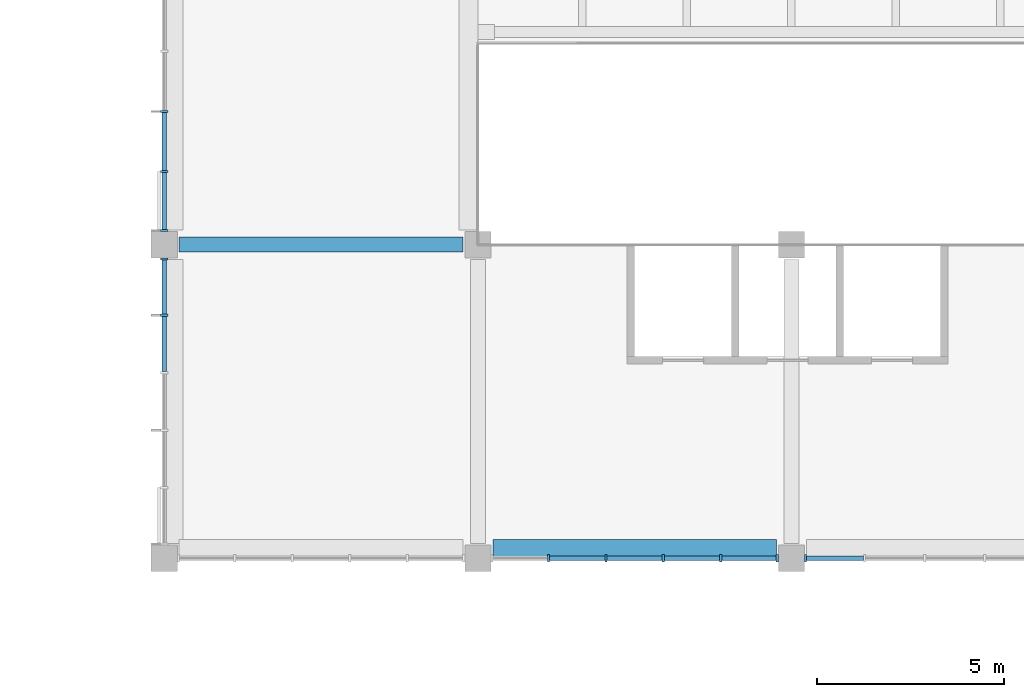
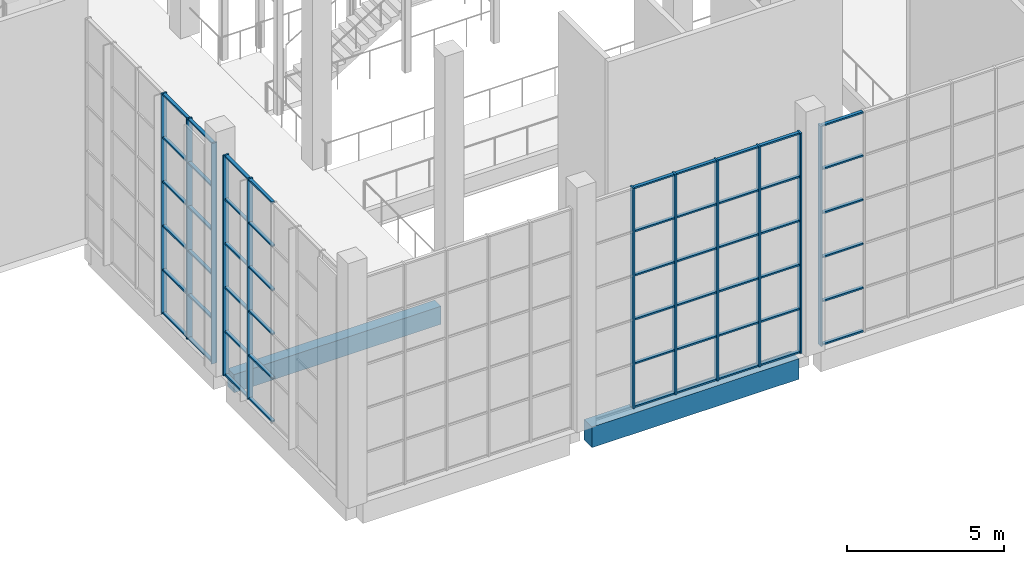
# One storey, part 20 of 114: 65 members, 2 beams, 4 elements without a shape of their own.
"""IFC4 building model written with IfcOpenShell, lengths in metres."""

import ifcopenshell
import ifcopenshell.guid

model = None  # the IFC model being written
_history = None  # IfcOwnerHistory: only IFC2X3 demands one
_inside = {}  # id of a spatial element -> (the spatial element, [elements in it])
_under = {}  # id of a project, library or spatial element -> (it, [spatial elements below it])
_declared = {}  # id of a project -> (the project, [libraries it declares])
_typed = {}  # id of a type object -> (the type object, [elements of that type])
_made_of = {}  # id of a material, layer set ... -> (it, [elements and type objects made of it])


def new_model(schema):
    """Start an empty IFC model of exactly this schema.

    Asked for "IFC4X3", IfcOpenShell would pick the latest addendum, in which some entities
    have other attributes; the version numbers below select the first issue.
    IFC2X3 requires an IfcOwnerHistory on every rooted entity: one is made here for all.
    """
    global model, _history
    if schema == "IFC4X3":
        model = ifcopenshell.file(schema_version=(4, 3, 0, 0))
    else:
        model = ifcopenshell.file(schema=schema)
    _inside.clear()
    _under.clear()
    _declared.clear()
    _typed.clear()
    _made_of.clear()
    _history = None
    if model.schema == "IFC2X3":
        org = make("IfcOrganization", Name="unknown")
        user = make(
            "IfcPersonAndOrganization",
            ThePerson=make("IfcPerson", FamilyName="unknown"),
            TheOrganization=org,
        )
        app = make(
            "IfcApplication",
            ApplicationDeveloper=org,
            Version="unknown",
            ApplicationFullName="unknown",
            ApplicationIdentifier="unknown",
        )
        _history = make(
            "IfcOwnerHistory",
            OwningUser=user,
            OwningApplication=app,
            ChangeAction="ADDED",
            CreationDate=0,
        )
    return model


def make(cls, **values):
    """One entity of the class cls with the attributes given. An attribute that is None is left unset."""
    return model.create_entity(
        cls, **{name: value for name, value in values.items() if value is not None}
    )


def rooted(cls, **values):
    """An entity with a GlobalId (a new one), such as an element, a storey or a relation."""
    return make(cls, GlobalId=ifcopenshell.guid.new(), OwnerHistory=_history, **values)


def si_unit(unit_type, name, prefix=None):
    """IfcSIUnit, for example si_unit("LENGTHUNIT", "METRE", prefix="MILLI")."""
    return make("IfcSIUnit", UnitType=unit_type, Prefix=prefix, Name=name)


def assignment(units):
    """IfcUnitAssignment: the units of a project."""
    return None if units is None else make("IfcUnitAssignment", Units=units)


def point(xyz):
    """IfcCartesianPoint."""
    return None if xyz is None else make("IfcCartesianPoint", Coordinates=xyz)


def direction(xyz):
    """IfcDirection."""
    return None if xyz is None else make("IfcDirection", DirectionRatios=xyz)


def frame(location, z_axis=None, x_axis=None):
    """IfcAxis2Placement3D, a coordinate frame: its origin and axes. An axis left out is left unset."""
    return make(
        "IfcAxis2Placement3D",
        Location=point(location),
        Axis=direction(z_axis),
        RefDirection=direction(x_axis),
    )


def frame_2d(location, x_axis=None):
    """IfcAxis2Placement2D, a coordinate frame in the plane: its origin and x axis."""
    return make(
        "IfcAxis2Placement2D", Location=point(location), RefDirection=direction(x_axis)
    )


def origin():
    """The frame at (0, 0, 0) with its axes left unset."""
    return frame((0.0, 0.0, 0.0))


def origin_2d():
    """The frame at (0, 0) in the plane with its x axis left unset."""
    return frame_2d((0.0, 0.0))


def place(relative_to, where):
    """IfcLocalPlacement: puts the frame where relative to a parent placement (None: the world)."""
    return make(
        "IfcLocalPlacement", PlacementRelTo=relative_to, RelativePlacement=where
    )


def context(
    kind, dimensions, precision=None, world=None, true_north=None, identifier=None
):
    """IfcGeometricRepresentationContext, for example the 3D "Model" context."""
    return make(
        "IfcGeometricRepresentationContext",
        ContextIdentifier=identifier,
        ContextType=kind,
        CoordinateSpaceDimension=dimensions,
        Precision=precision,
        WorldCoordinateSystem=world,
        TrueNorth=true_north,
    )


def subcontext(parent, identifier, kind, view, scale=None):
    """IfcGeometricRepresentationSubContext, for example "Body" below "Model"."""
    return make(
        "IfcGeometricRepresentationSubContext",
        ContextIdentifier=identifier,
        ContextType=kind,
        ParentContext=parent,
        TargetScale=scale,
        TargetView=view,
    )


def project(units=None, contexts=None):
    """IfcProject with its units and contexts."""
    return rooted(
        "IfcProject",
        Name="project",
        RepresentationContexts=contexts,
        UnitsInContext=assignment(units),
    )


def spatial(cls, under=None, at=None, **own):
    """A site, building, storey or space (cls), placed at a placement, below another one or the project."""
    s = rooted(cls, ObjectPlacement=at, **own)
    if under is not None:
        _under.setdefault(under.id(), (under, []))[1].append(s)
    return s


def profile(cls, at=None, kind="AREA", **sizes):
    """A parametric profile (cls). Its sizes go by their IFC names, for example OverallWidth=200.0."""
    return make(cls, ProfileType=kind, Position=at, **sizes)


def rectangle(**sizes):
    """IfcRectangleProfileDef."""
    return profile("IfcRectangleProfileDef", **sizes)


def extrude(swept, where, along, depth):
    """IfcExtrudedAreaSolid: the profile swept, set in the frame where, extruded along a direction by depth."""
    return make(
        "IfcExtrudedAreaSolid",
        SweptArea=swept,
        Position=where,
        ExtrudedDirection=direction(along),
        Depth=depth,
    )


def shape(context_of_items, identifier, shape_type, items):
    """IfcShapeRepresentation: the items that make up one representation, for example the "Body"."""
    return make(
        "IfcShapeRepresentation",
        ContextOfItems=context_of_items,
        RepresentationIdentifier=identifier,
        RepresentationType=shape_type,
        Items=items,
    )


def material(Name=None, Category=None):
    """IfcMaterial."""
    return make("IfcMaterial", Name=Name, Category=Category)


def material_profile(
    of_material, cross_section, Name=None, Category=None, Priority=None
):
    """IfcMaterialProfile: a cross section and its material."""
    return make(
        "IfcMaterialProfile",
        Name=Name,
        Material=of_material,
        Profile=cross_section,
        Priority=Priority,
        Category=Category,
    )


def profile_set(profiles, Name=None, composite=None):
    """IfcMaterialProfileSet."""
    return make(
        "IfcMaterialProfileSet",
        Name=Name,
        MaterialProfiles=profiles,
        CompositeProfile=composite,
    )


def made_of(thing, what):
    """Note that an element or type object is made of a material, layer set ...; save() writes the relation."""
    if what is not None:
        _made_of.setdefault(what.id(), (what, []))[1].append(thing)
    return thing


def type_object(cls, material=None, **own):
    """A type object (cls), such as IfcWallType, which elements share."""
    return made_of(rooted(cls, **own), material)


def element(
    cls,
    number,
    at=None,
    inside=None,
    cuts=None,
    type_object=None,
    material=None,
    context=None,
    identifier="Body",
    shape_type=None,
    held_by="IfcProductDefinitionShape",
    body=None,
    shapes=None,
    **own,
):
    """One element of the class cls, such as IfcWall. Its Tag is "e" and its number.

    at: its placement. inside: the storey or other place that contains it. cuts: it is an
    opening in that element (IfcRelVoidsElement). A single representation is given by context,
    identifier, shape_type and body (its items); several are given by shapes. held_by: the class
    of the entity that holds the representations. save() writes the other relations.
    """
    e = rooted(cls, Tag="e%d" % number, ObjectPlacement=at, **own)
    if body is not None:
        shapes = [shape(context, identifier, shape_type, body)]
    if shapes is not None:
        e.Representation = make(held_by, Representations=shapes)
    if inside is not None:
        _inside.setdefault(inside.id(), (inside, []))[1].append(e)
    if cuts is not None:
        rooted(
            "IfcRelVoidsElement", RelatingBuildingElement=cuts, RelatedOpeningElement=e
        )
    if type_object is not None:
        _typed.setdefault(type_object.id(), (type_object, []))[1].append(e)
    return made_of(e, material)


def aggregate(whole, parts):
    """IfcRelAggregates: a whole, such as a stair, and the parts it consists of."""
    return rooted("IfcRelAggregates", RelatingObject=whole, RelatedObjects=parts)


def save(model, path):
    """Write the relations noted so far, then the file.

    IfcRelAggregates (storeys below a building ...), IfcRelContainedInSpatialStructure (elements
    in a storey), IfcRelDefinesByType, IfcRelAssociatesMaterial and IfcRelDeclares: one each for
    every whole, place, type object, material and project.
    """
    for whole, parts in _under.values():
        aggregate(whole, parts)
    for where, things in _inside.values():
        rooted(
            "IfcRelContainedInSpatialStructure",
            RelatedElements=things,
            RelatingStructure=where,
        )
    for kind, things in _typed.values():
        rooted("IfcRelDefinesByType", RelatedObjects=things, RelatingType=kind)
    for what, things in _made_of.values():
        rooted("IfcRelAssociatesMaterial", RelatedObjects=things, RelatingMaterial=what)
    for by, libraries in _declared.values():
        rooted("IfcRelDeclares", RelatingContext=by, RelatedDefinitions=libraries)
    model.write(path)


model = new_model("IFC4")

# Units and contexts
model_context = context("Model", 3, precision=1e-05, world=origin(), true_north=direction((0.0, 1.0)))
body_context = subcontext(model_context, "Body", "Model", "MODEL_VIEW")
ifc_project = project(units=[si_unit("LENGTHUNIT", "METRE"), si_unit("AREAUNIT", "SQUARE_METRE"), si_unit("VOLUMEUNIT", "CUBIC_METRE"), si_unit("PLANEANGLEUNIT", "RADIAN"), si_unit("MASSUNIT", "GRAM", prefix="KILO")], contexts=[model_context])

# Site, building, storey
site_placement = place(None, origin())
site = spatial("IfcSite", under=ifc_project, at=site_placement, CompositionType="ELEMENT")
building_placement = place(site_placement, origin())
building = spatial("IfcBuilding", under=site, at=building_placement, Name="Almond Square Museum", CompositionType="ELEMENT")
storey_placement = place(building_placement, frame((0.0, 0.0, 10.5)))
storey = spatial("IfcBuildingStorey", under=building, at=storey_placement, Name="L02", CompositionType="ELEMENT", Elevation=10.5)

# Curtain wall, members
ifc_material_1 = material(Name="Aluminium and laminated glass", Category="aluminium")
curtain_wall_type = type_object("IfcCurtainWallType", Name="Unitised curtain wall 1500 module", PredefinedType="NOTDEFINED", material=ifc_material_1)
curtain_wall_1_placement = place(storey_placement, origin())
curtain_wall_1 = element("IfcCurtainWall", 1, at=curtain_wall_1_placement, inside=storey, type_object=curtain_wall_type, Name="Curtain wall CW-26", PredefinedType="NOTDEFINED")
ifc_material_2 = material(Name="Anodised aluminium", Category="aluminium")
ifc_material_profile_1 = material_profile(ifc_material_2, rectangle(XDim=0.199951171875, YDim=0.06005859375, at=origin_2d()))
ifc_profile_set_1 = profile_set([ifc_material_profile_1], Name="Anodised aluminium")
member_type_1 = type_object("IfcMemberType", Name="Aluminium mullion 60 x 200", PredefinedType="MULLION", material=ifc_profile_set_1)
member_1_placement = place(storey_placement, frame((73.199951171875, 75.97998046875, 0.0), z_axis=(0.0, 0.0, 1.0), x_axis=(-1.0, 0.0, 0.0)))
member_1 = element("IfcMember", 2, at=member_1_placement, type_object=member_type_1, Name="CW-26 mullion 1", PredefinedType="MULLION", context=body_context, shape_type="SweptSolid", body=[
    extrude(rectangle(XDim=0.199951171875, YDim=0.06005859375, at=origin_2d()), origin(), (0.0, 0.0, 1.0), 8.550048828125),
])
member_2_placement = place(storey_placement, frame((73.199951171875, 77.56005859375, 0.0), z_axis=(0.0, 0.0, 1.0), x_axis=(-1.0, 0.0, 0.0)))
member_2 = element("IfcMember", 3, at=member_2_placement, type_object=member_type_1, Name="CW-26 mullion 2", PredefinedType="MULLION", context=body_context, shape_type="SweptSolid", body=[
    extrude(rectangle(XDim=0.199951171875, YDim=0.06005859375, at=origin_2d()), origin(), (0.0, 0.0, 1.0), 8.550048828125),
])
member_3_placement = place(storey_placement, frame((73.199951171875, 79.169921875, 0.0), z_axis=(0.0, 0.0, 1.0), x_axis=(-1.0, 0.0, 0.0)))
member_3 = element("IfcMember", 4, at=member_3_placement, type_object=member_type_1, Name="CW-26 mullion 3", PredefinedType="MULLION", context=body_context, shape_type="SweptSolid", body=[
    extrude(rectangle(XDim=0.199951171875, YDim=0.06005859375, at=origin_2d()), origin(), (0.0, 0.0, 1.0), 8.550048828125),
])

curtain_wall_2_placement = place(storey_placement, origin())
curtain_wall_2 = element("IfcCurtainWall", 5, at=curtain_wall_2_placement, inside=storey, type_object=curtain_wall_type, Name="Curtain wall CW-27", PredefinedType="NOTDEFINED")
member_4_placement = place(storey_placement, frame((73.199951171875, 73.7099609375, 0.0), z_axis=(0.0, 0.0, 1.0), x_axis=(-1.0, 0.0, 0.0)))
member_4 = element("IfcMember", 6, at=member_4_placement, type_object=member_type_1, Name="CW-27 mullion 5", PredefinedType="MULLION", context=body_context, shape_type="SweptSolid", body=[
    extrude(rectangle(XDim=0.199951171875, YDim=0.06005859375, at=origin_2d()), origin(), (0.0, 0.0, 1.0), 8.550048828125),
])
member_5_placement = place(storey_placement, frame((73.199951171875, 75.219970703125, 0.0), z_axis=(0.0, 0.0, 1.0), x_axis=(-1.0, 0.0, 0.0)))
member_5 = element("IfcMember", 7, at=member_5_placement, type_object=member_type_1, Name="CW-27 mullion 6", PredefinedType="MULLION", context=body_context, shape_type="SweptSolid", body=[
    extrude(rectangle(XDim=0.199951171875, YDim=0.06005859375, at=origin_2d()), origin(), (0.0, 0.0, 1.0), 8.550048828125),
])

curtain_wall_3_placement = place(storey_placement, origin())
curtain_wall_3 = element("IfcCurtainWall", 8, at=curtain_wall_3_placement, inside=storey, type_object=curtain_wall_type, Name="Curtain wall CW-29", PredefinedType="NOTDEFINED")
member_6_placement = place(storey_placement, frame((83.489990234375, 67.199951171875, 0.0), z_axis=(0.0, 0.0, 1.0), x_axis=(0.0, 1.0, 0.0)))
member_6 = element("IfcMember", 9, at=member_6_placement, type_object=member_type_1, Name="CW-29 mullion 2", PredefinedType="MULLION", context=body_context, shape_type="SweptSolid", body=[
    extrude(rectangle(XDim=0.199951171875, YDim=0.06005859375, at=origin_2d()), origin(), (0.0, 0.0, 1.0), 8.550048828125),
])
member_7_placement = place(storey_placement, frame((85.030029296875, 67.199951171875, 0.0), z_axis=(0.0, 0.0, 1.0), x_axis=(0.0, 1.0, 0.0)))
member_7 = element("IfcMember", 10, at=member_7_placement, type_object=member_type_1, Name="CW-29 mullion 3", PredefinedType="MULLION", context=body_context, shape_type="SweptSolid", body=[
    extrude(rectangle(XDim=0.199951171875, YDim=0.06005859375, at=origin_2d()), origin(), (0.0, 0.0, 1.0), 8.550048828125),
])
member_8_placement = place(storey_placement, frame((86.570068359375, 67.199951171875, 0.0), z_axis=(0.0, 0.0, 1.0), x_axis=(0.0, 1.0, 0.0)))
member_8 = element("IfcMember", 11, at=member_8_placement, type_object=member_type_1, Name="CW-29 mullion 4", PredefinedType="MULLION", context=body_context, shape_type="SweptSolid", body=[
    extrude(rectangle(XDim=0.199951171875, YDim=0.06005859375, at=origin_2d()), origin(), (0.0, 0.0, 1.0), 8.550048828125),
])
member_9_placement = place(storey_placement, frame((88.110107421875, 67.199951171875, 0.0), z_axis=(0.0, 0.0, 1.0), x_axis=(0.0, 1.0, 0.0)))
member_9 = element("IfcMember", 12, at=member_9_placement, type_object=member_type_1, Name="CW-29 mullion 5", PredefinedType="MULLION", context=body_context, shape_type="SweptSolid", body=[
    extrude(rectangle(XDim=0.199951171875, YDim=0.06005859375, at=origin_2d()), origin(), (0.0, 0.0, 1.0), 8.550048828125),
])
member_10_placement = place(storey_placement, frame((89.6201171875, 67.199951171875, 0.0), z_axis=(0.0, 0.0, 1.0), x_axis=(0.0, 1.0, 0.0)))
member_10 = element("IfcMember", 13, at=member_10_placement, type_object=member_type_1, Name="CW-29 mullion 6", PredefinedType="MULLION", context=body_context, shape_type="SweptSolid", body=[
    extrude(rectangle(XDim=0.199951171875, YDim=0.06005859375, at=origin_2d()), origin(), (0.0, 0.0, 1.0), 8.550048828125),
])

# Curtain wall, member
curtain_wall_4_placement = place(storey_placement, origin())
curtain_wall_4 = element("IfcCurtainWall", 14, at=curtain_wall_4_placement, inside=storey, type_object=curtain_wall_type, Name="Curtain wall CW-30", PredefinedType="NOTDEFINED")
member_11_placement = place(storey_placement, frame((90.3798828125, 67.199951171875, 0.0), z_axis=(0.0, 0.0, 1.0), x_axis=(0.0, 1.0, 0.0)))
member_11 = element("IfcMember", 15, at=member_11_placement, type_object=member_type_1, Name="CW-30 mullion 1", PredefinedType="MULLION", context=body_context, shape_type="SweptSolid", body=[
    extrude(rectangle(XDim=0.199951171875, YDim=0.06005859375, at=origin_2d()), origin(), (0.0, 0.0, 1.0), 8.550048828125),
])

# Member
ifc_material_3 = material(Name="Anodised aluminium", Category="aluminium")
ifc_material_profile_2 = material_profile(ifc_material_3, rectangle(XDim=0.1201171875, YDim=0.06005859375, at=origin_2d()))
ifc_profile_set_2 = profile_set([ifc_material_profile_2], Name="Anodised aluminium")
member_type_2 = type_object("IfcMemberType", Name="Aluminium transom 60 x 120", PredefinedType="USERDEFINED", material=ifc_profile_set_2)
member_12_placement = place(storey_placement, frame((73.199951171875, 76.010009765625, 0.030029296875), z_axis=(0.0, 1.0, 0.0), x_axis=(-1.0, 0.0, 0.0)))
member_12 = element("IfcMember", 16, at=member_12_placement, type_object=member_type_2, Name="CW-26 transom 1.1", ObjectType="TRANSOM", PredefinedType="USERDEFINED", context=body_context, shape_type="SweptSolid", body=[
    extrude(rectangle(XDim=0.1201171875, YDim=0.06005859375, at=origin_2d()), origin(), (0.0, 0.0, 1.0), 1.52001953125),
])

member_13_placement = place(storey_placement, frame((73.199951171875, 76.010009765625, 1.7099609375), z_axis=(0.0, 1.0, 0.0), x_axis=(-1.0, 0.0, 0.0)))
member_13 = element("IfcMember", 17, at=member_13_placement, type_object=member_type_2, Name="CW-26 transom 1.2", ObjectType="TRANSOM", PredefinedType="USERDEFINED", context=body_context, shape_type="SweptSolid", body=[
    extrude(rectangle(XDim=0.1201171875, YDim=0.06005859375, at=origin_2d()), origin(), (0.0, 0.0, 1.0), 1.52001953125),
])

member_14_placement = place(storey_placement, frame((73.199951171875, 76.010009765625, 3.419921875), z_axis=(0.0, 1.0, 0.0), x_axis=(-1.0, 0.0, 0.0)))
member_14 = element("IfcMember", 18, at=member_14_placement, type_object=member_type_2, Name="CW-26 transom 1.3", ObjectType="TRANSOM", PredefinedType="USERDEFINED", context=body_context, shape_type="SweptSolid", body=[
    extrude(rectangle(XDim=0.1201171875, YDim=0.06005859375, at=origin_2d()), origin(), (0.0, 0.0, 1.0), 1.52001953125),
])

member_15_placement = place(storey_placement, frame((73.199951171875, 76.010009765625, 5.1298828125), z_axis=(0.0, 1.0, 0.0), x_axis=(-1.0, 0.0, 0.0)))
member_15 = element("IfcMember", 19, at=member_15_placement, type_object=member_type_2, Name="CW-26 transom 1.4", ObjectType="TRANSOM", PredefinedType="USERDEFINED", context=body_context, shape_type="SweptSolid", body=[
    extrude(rectangle(XDim=0.1201171875, YDim=0.06005859375, at=origin_2d()), origin(), (0.0, 0.0, 1.0), 1.52001953125),
])

member_16_placement = place(storey_placement, frame((73.199951171875, 76.010009765625, 6.840087890625), z_axis=(0.0, 1.0, 0.0), x_axis=(-1.0, 0.0, 0.0)))
member_16 = element("IfcMember", 20, at=member_16_placement, type_object=member_type_2, Name="CW-26 transom 1.5", ObjectType="TRANSOM", PredefinedType="USERDEFINED", context=body_context, shape_type="SweptSolid", body=[
    extrude(rectangle(XDim=0.1201171875, YDim=0.06005859375, at=origin_2d()), origin(), (0.0, 0.0, 1.0), 1.52001953125),
])

member_17_placement = place(storey_placement, frame((73.199951171875, 76.010009765625, 8.52001953125), z_axis=(0.0, 1.0, 0.0), x_axis=(-1.0, 0.0, 0.0)))
member_17 = element("IfcMember", 21, at=member_17_placement, type_object=member_type_2, Name="CW-26 transom 1.6", ObjectType="TRANSOM", PredefinedType="USERDEFINED", context=body_context, shape_type="SweptSolid", body=[
    extrude(rectangle(XDim=0.1201171875, YDim=0.06005859375, at=origin_2d()), origin(), (0.0, 0.0, 1.0), 1.52001953125),
])

member_18_placement = place(storey_placement, frame((73.199951171875, 77.590087890625, 0.030029296875), z_axis=(0.0, 1.0, 0.0), x_axis=(-1.0, 0.0, 0.0)))
member_18 = element("IfcMember", 22, at=member_18_placement, type_object=member_type_2, Name="CW-26 transom 2.1", ObjectType="TRANSOM", PredefinedType="USERDEFINED", context=body_context, shape_type="SweptSolid", body=[
    extrude(rectangle(XDim=0.1201171875, YDim=0.06005859375, at=origin_2d()), origin(), (0.0, 0.0, 1.0), 1.5498046875),
])

member_19_placement = place(storey_placement, frame((73.199951171875, 77.590087890625, 1.7099609375), z_axis=(0.0, 1.0, 0.0), x_axis=(-1.0, 0.0, 0.0)))
member_19 = element("IfcMember", 23, at=member_19_placement, type_object=member_type_2, Name="CW-26 transom 2.2", ObjectType="TRANSOM", PredefinedType="USERDEFINED", context=body_context, shape_type="SweptSolid", body=[
    extrude(rectangle(XDim=0.1201171875, YDim=0.06005859375, at=origin_2d()), origin(), (0.0, 0.0, 1.0), 1.5498046875),
])

member_20_placement = place(storey_placement, frame((73.199951171875, 77.590087890625, 3.419921875), z_axis=(0.0, 1.0, 0.0), x_axis=(-1.0, 0.0, 0.0)))
member_20 = element("IfcMember", 24, at=member_20_placement, type_object=member_type_2, Name="CW-26 transom 2.3", ObjectType="TRANSOM", PredefinedType="USERDEFINED", context=body_context, shape_type="SweptSolid", body=[
    extrude(rectangle(XDim=0.1201171875, YDim=0.06005859375, at=origin_2d()), origin(), (0.0, 0.0, 1.0), 1.5498046875),
])

member_21_placement = place(storey_placement, frame((73.199951171875, 77.590087890625, 5.1298828125), z_axis=(0.0, 1.0, 0.0), x_axis=(-1.0, 0.0, 0.0)))
member_21 = element("IfcMember", 25, at=member_21_placement, type_object=member_type_2, Name="CW-26 transom 2.4", ObjectType="TRANSOM", PredefinedType="USERDEFINED", context=body_context, shape_type="SweptSolid", body=[
    extrude(rectangle(XDim=0.1201171875, YDim=0.06005859375, at=origin_2d()), origin(), (0.0, 0.0, 1.0), 1.5498046875),
])

member_22_placement = place(storey_placement, frame((73.199951171875, 77.590087890625, 6.840087890625), z_axis=(0.0, 1.0, 0.0), x_axis=(-1.0, 0.0, 0.0)))
member_22 = element("IfcMember", 26, at=member_22_placement, type_object=member_type_2, Name="CW-26 transom 2.5", ObjectType="TRANSOM", PredefinedType="USERDEFINED", context=body_context, shape_type="SweptSolid", body=[
    extrude(rectangle(XDim=0.1201171875, YDim=0.06005859375, at=origin_2d()), origin(), (0.0, 0.0, 1.0), 1.5498046875),
])

member_23_placement = place(storey_placement, frame((73.199951171875, 77.590087890625, 8.52001953125), z_axis=(0.0, 1.0, 0.0), x_axis=(-1.0, 0.0, 0.0)))
member_23 = element("IfcMember", 27, at=member_23_placement, type_object=member_type_2, Name="CW-26 transom 2.6", ObjectType="TRANSOM", PredefinedType="USERDEFINED", context=body_context, shape_type="SweptSolid", body=[
    extrude(rectangle(XDim=0.1201171875, YDim=0.06005859375, at=origin_2d()), origin(), (0.0, 0.0, 1.0), 1.5498046875),
])

aggregate(curtain_wall_1, [member_1, member_2, member_3, member_12, member_13, member_14, member_15, member_16, member_17, member_18, member_19, member_20, member_21, member_22, member_23])

member_24_placement = place(storey_placement, frame((73.199951171875, 72.199951171875, 0.030029296875), z_axis=(0.0, 1.0, 0.0), x_axis=(-1.0, 0.0, 0.0)))
member_24 = element("IfcMember", 28, at=member_24_placement, type_object=member_type_2, Name="CW-27 transom 4.1", ObjectType="TRANSOM", PredefinedType="USERDEFINED", context=body_context, shape_type="SweptSolid", body=[
    extrude(rectangle(XDim=0.1201171875, YDim=0.06005859375, at=origin_2d()), origin(), (0.0, 0.0, 1.0), 1.47998046875),
])

member_25_placement = place(storey_placement, frame((73.199951171875, 72.199951171875, 1.7099609375), z_axis=(0.0, 1.0, 0.0), x_axis=(-1.0, 0.0, 0.0)))
member_25 = element("IfcMember", 29, at=member_25_placement, type_object=member_type_2, Name="CW-27 transom 4.2", ObjectType="TRANSOM", PredefinedType="USERDEFINED", context=body_context, shape_type="SweptSolid", body=[
    extrude(rectangle(XDim=0.1201171875, YDim=0.06005859375, at=origin_2d()), origin(), (0.0, 0.0, 1.0), 1.47998046875),
])

member_26_placement = place(storey_placement, frame((73.199951171875, 72.199951171875, 3.419921875), z_axis=(0.0, 1.0, 0.0), x_axis=(-1.0, 0.0, 0.0)))
member_26 = element("IfcMember", 30, at=member_26_placement, type_object=member_type_2, Name="CW-27 transom 4.3", ObjectType="TRANSOM", PredefinedType="USERDEFINED", context=body_context, shape_type="SweptSolid", body=[
    extrude(rectangle(XDim=0.1201171875, YDim=0.06005859375, at=origin_2d()), origin(), (0.0, 0.0, 1.0), 1.47998046875),
])

member_27_placement = place(storey_placement, frame((73.199951171875, 72.199951171875, 5.1298828125), z_axis=(0.0, 1.0, 0.0), x_axis=(-1.0, 0.0, 0.0)))
member_27 = element("IfcMember", 31, at=member_27_placement, type_object=member_type_2, Name="CW-27 transom 4.4", ObjectType="TRANSOM", PredefinedType="USERDEFINED", context=body_context, shape_type="SweptSolid", body=[
    extrude(rectangle(XDim=0.1201171875, YDim=0.06005859375, at=origin_2d()), origin(), (0.0, 0.0, 1.0), 1.47998046875),
])

member_28_placement = place(storey_placement, frame((73.199951171875, 72.199951171875, 6.840087890625), z_axis=(0.0, 1.0, 0.0), x_axis=(-1.0, 0.0, 0.0)))
member_28 = element("IfcMember", 32, at=member_28_placement, type_object=member_type_2, Name="CW-27 transom 4.5", ObjectType="TRANSOM", PredefinedType="USERDEFINED", context=body_context, shape_type="SweptSolid", body=[
    extrude(rectangle(XDim=0.1201171875, YDim=0.06005859375, at=origin_2d()), origin(), (0.0, 0.0, 1.0), 1.47998046875),
])

member_29_placement = place(storey_placement, frame((73.199951171875, 72.199951171875, 8.52001953125), z_axis=(0.0, 1.0, 0.0), x_axis=(-1.0, 0.0, 0.0)))
member_29 = element("IfcMember", 33, at=member_29_placement, type_object=member_type_2, Name="CW-27 transom 4.6", ObjectType="TRANSOM", PredefinedType="USERDEFINED", context=body_context, shape_type="SweptSolid", body=[
    extrude(rectangle(XDim=0.1201171875, YDim=0.06005859375, at=origin_2d()), origin(), (0.0, 0.0, 1.0), 1.47998046875),
])

member_30_placement = place(storey_placement, frame((73.199951171875, 73.739990234375, 0.030029296875), z_axis=(0.0, 1.0, 0.0), x_axis=(-1.0, 0.0, 0.0)))
member_30 = element("IfcMember", 34, at=member_30_placement, type_object=member_type_2, Name="CW-27 transom 5.1", ObjectType="TRANSOM", PredefinedType="USERDEFINED", context=body_context, shape_type="SweptSolid", body=[
    extrude(rectangle(XDim=0.1201171875, YDim=0.06005859375, at=origin_2d()), origin(), (0.0, 0.0, 1.0), 1.449951171875),
])

member_31_placement = place(storey_placement, frame((73.199951171875, 73.739990234375, 1.7099609375), z_axis=(0.0, 1.0, 0.0), x_axis=(-1.0, 0.0, 0.0)))
member_31 = element("IfcMember", 35, at=member_31_placement, type_object=member_type_2, Name="CW-27 transom 5.2", ObjectType="TRANSOM", PredefinedType="USERDEFINED", context=body_context, shape_type="SweptSolid", body=[
    extrude(rectangle(XDim=0.1201171875, YDim=0.06005859375, at=origin_2d()), origin(), (0.0, 0.0, 1.0), 1.449951171875),
])

member_32_placement = place(storey_placement, frame((73.199951171875, 73.739990234375, 3.419921875), z_axis=(0.0, 1.0, 0.0), x_axis=(-1.0, 0.0, 0.0)))
member_32 = element("IfcMember", 36, at=member_32_placement, type_object=member_type_2, Name="CW-27 transom 5.3", ObjectType="TRANSOM", PredefinedType="USERDEFINED", context=body_context, shape_type="SweptSolid", body=[
    extrude(rectangle(XDim=0.1201171875, YDim=0.06005859375, at=origin_2d()), origin(), (0.0, 0.0, 1.0), 1.449951171875),
])

member_33_placement = place(storey_placement, frame((73.199951171875, 73.739990234375, 5.1298828125), z_axis=(0.0, 1.0, 0.0), x_axis=(-1.0, 0.0, 0.0)))
member_33 = element("IfcMember", 37, at=member_33_placement, type_object=member_type_2, Name="CW-27 transom 5.4", ObjectType="TRANSOM", PredefinedType="USERDEFINED", context=body_context, shape_type="SweptSolid", body=[
    extrude(rectangle(XDim=0.1201171875, YDim=0.06005859375, at=origin_2d()), origin(), (0.0, 0.0, 1.0), 1.449951171875),
])

member_34_placement = place(storey_placement, frame((73.199951171875, 73.739990234375, 6.840087890625), z_axis=(0.0, 1.0, 0.0), x_axis=(-1.0, 0.0, 0.0)))
member_34 = element("IfcMember", 38, at=member_34_placement, type_object=member_type_2, Name="CW-27 transom 5.5", ObjectType="TRANSOM", PredefinedType="USERDEFINED", context=body_context, shape_type="SweptSolid", body=[
    extrude(rectangle(XDim=0.1201171875, YDim=0.06005859375, at=origin_2d()), origin(), (0.0, 0.0, 1.0), 1.449951171875),
])

member_35_placement = place(storey_placement, frame((73.199951171875, 73.739990234375, 8.52001953125), z_axis=(0.0, 1.0, 0.0), x_axis=(-1.0, 0.0, 0.0)))
member_35 = element("IfcMember", 39, at=member_35_placement, type_object=member_type_2, Name="CW-27 transom 5.6", ObjectType="TRANSOM", PredefinedType="USERDEFINED", context=body_context, shape_type="SweptSolid", body=[
    extrude(rectangle(XDim=0.1201171875, YDim=0.06005859375, at=origin_2d()), origin(), (0.0, 0.0, 1.0), 1.449951171875),
])

aggregate(curtain_wall_2, [member_4, member_5, member_24, member_25, member_26, member_27, member_28, member_29, member_30, member_31, member_32, member_33, member_34, member_35])

member_36_placement = place(storey_placement, frame((83.52001953125, 67.199951171875, 0.030029296875), z_axis=(1.0, 0.0, 0.0), x_axis=(0.0, 1.0, 0.0)))
member_36 = element("IfcMember", 40, at=member_36_placement, type_object=member_type_2, Name="CW-29 transom 2.1", ObjectType="TRANSOM", PredefinedType="USERDEFINED", context=body_context, shape_type="SweptSolid", body=[
    extrude(rectangle(XDim=0.1201171875, YDim=0.06005859375, at=origin_2d()), origin(), (0.0, 0.0, 1.0), 1.47998046875),
])

member_37_placement = place(storey_placement, frame((83.52001953125, 67.199951171875, 1.7099609375), z_axis=(1.0, 0.0, 0.0), x_axis=(0.0, 1.0, 0.0)))
member_37 = element("IfcMember", 41, at=member_37_placement, type_object=member_type_2, Name="CW-29 transom 2.2", ObjectType="TRANSOM", PredefinedType="USERDEFINED", context=body_context, shape_type="SweptSolid", body=[
    extrude(rectangle(XDim=0.1201171875, YDim=0.06005859375, at=origin_2d()), origin(), (0.0, 0.0, 1.0), 1.47998046875),
])

member_38_placement = place(storey_placement, frame((83.52001953125, 67.199951171875, 3.419921875), z_axis=(1.0, 0.0, 0.0), x_axis=(0.0, 1.0, 0.0)))
member_38 = element("IfcMember", 42, at=member_38_placement, type_object=member_type_2, Name="CW-29 transom 2.3", ObjectType="TRANSOM", PredefinedType="USERDEFINED", context=body_context, shape_type="SweptSolid", body=[
    extrude(rectangle(XDim=0.1201171875, YDim=0.06005859375, at=origin_2d()), origin(), (0.0, 0.0, 1.0), 1.47998046875),
])

member_39_placement = place(storey_placement, frame((83.52001953125, 67.199951171875, 5.1298828125), z_axis=(1.0, 0.0, 0.0), x_axis=(0.0, 1.0, 0.0)))
member_39 = element("IfcMember", 43, at=member_39_placement, type_object=member_type_2, Name="CW-29 transom 2.4", ObjectType="TRANSOM", PredefinedType="USERDEFINED", context=body_context, shape_type="SweptSolid", body=[
    extrude(rectangle(XDim=0.1201171875, YDim=0.06005859375, at=origin_2d()), origin(), (0.0, 0.0, 1.0), 1.47998046875),
])

member_40_placement = place(storey_placement, frame((83.52001953125, 67.199951171875, 6.840087890625), z_axis=(1.0, 0.0, 0.0), x_axis=(0.0, 1.0, 0.0)))
member_40 = element("IfcMember", 44, at=member_40_placement, type_object=member_type_2, Name="CW-29 transom 2.5", ObjectType="TRANSOM", PredefinedType="USERDEFINED", context=body_context, shape_type="SweptSolid", body=[
    extrude(rectangle(XDim=0.1201171875, YDim=0.06005859375, at=origin_2d()), origin(), (0.0, 0.0, 1.0), 1.47998046875),
])

member_41_placement = place(storey_placement, frame((83.52001953125, 67.199951171875, 8.52001953125), z_axis=(1.0, 0.0, 0.0), x_axis=(0.0, 1.0, 0.0)))
member_41 = element("IfcMember", 45, at=member_41_placement, type_object=member_type_2, Name="CW-29 transom 2.6", ObjectType="TRANSOM", PredefinedType="USERDEFINED", context=body_context, shape_type="SweptSolid", body=[
    extrude(rectangle(XDim=0.1201171875, YDim=0.06005859375, at=origin_2d()), origin(), (0.0, 0.0, 1.0), 1.47998046875),
])

member_42_placement = place(storey_placement, frame((85.06005859375, 67.199951171875, 0.030029296875), z_axis=(1.0, 0.0, 0.0), x_axis=(0.0, 1.0, 0.0)))
member_42 = element("IfcMember", 46, at=member_42_placement, type_object=member_type_2, Name="CW-29 transom 3.1", ObjectType="TRANSOM", PredefinedType="USERDEFINED", context=body_context, shape_type="SweptSolid", body=[
    extrude(rectangle(XDim=0.1201171875, YDim=0.06005859375, at=origin_2d()), origin(), (0.0, 0.0, 1.0), 1.47998046875),
])

member_43_placement = place(storey_placement, frame((85.06005859375, 67.199951171875, 1.7099609375), z_axis=(1.0, 0.0, 0.0), x_axis=(0.0, 1.0, 0.0)))
member_43 = element("IfcMember", 47, at=member_43_placement, type_object=member_type_2, Name="CW-29 transom 3.2", ObjectType="TRANSOM", PredefinedType="USERDEFINED", context=body_context, shape_type="SweptSolid", body=[
    extrude(rectangle(XDim=0.1201171875, YDim=0.06005859375, at=origin_2d()), origin(), (0.0, 0.0, 1.0), 1.47998046875),
])

member_44_placement = place(storey_placement, frame((85.06005859375, 67.199951171875, 3.419921875), z_axis=(1.0, 0.0, 0.0), x_axis=(0.0, 1.0, 0.0)))
member_44 = element("IfcMember", 48, at=member_44_placement, type_object=member_type_2, Name="CW-29 transom 3.3", ObjectType="TRANSOM", PredefinedType="USERDEFINED", context=body_context, shape_type="SweptSolid", body=[
    extrude(rectangle(XDim=0.1201171875, YDim=0.06005859375, at=origin_2d()), origin(), (0.0, 0.0, 1.0), 1.47998046875),
])

member_45_placement = place(storey_placement, frame((85.06005859375, 67.199951171875, 5.1298828125), z_axis=(1.0, 0.0, 0.0), x_axis=(0.0, 1.0, 0.0)))
member_45 = element("IfcMember", 49, at=member_45_placement, type_object=member_type_2, Name="CW-29 transom 3.4", ObjectType="TRANSOM", PredefinedType="USERDEFINED", context=body_context, shape_type="SweptSolid", body=[
    extrude(rectangle(XDim=0.1201171875, YDim=0.06005859375, at=origin_2d()), origin(), (0.0, 0.0, 1.0), 1.47998046875),
])

member_46_placement = place(storey_placement, frame((85.06005859375, 67.199951171875, 6.840087890625), z_axis=(1.0, 0.0, 0.0), x_axis=(0.0, 1.0, 0.0)))
member_46 = element("IfcMember", 50, at=member_46_placement, type_object=member_type_2, Name="CW-29 transom 3.5", ObjectType="TRANSOM", PredefinedType="USERDEFINED", context=body_context, shape_type="SweptSolid", body=[
    extrude(rectangle(XDim=0.1201171875, YDim=0.06005859375, at=origin_2d()), origin(), (0.0, 0.0, 1.0), 1.47998046875),
])

member_47_placement = place(storey_placement, frame((85.06005859375, 67.199951171875, 8.52001953125), z_axis=(1.0, 0.0, 0.0), x_axis=(0.0, 1.0, 0.0)))
member_47 = element("IfcMember", 51, at=member_47_placement, type_object=member_type_2, Name="CW-29 transom 3.6", ObjectType="TRANSOM", PredefinedType="USERDEFINED", context=body_context, shape_type="SweptSolid", body=[
    extrude(rectangle(XDim=0.1201171875, YDim=0.06005859375, at=origin_2d()), origin(), (0.0, 0.0, 1.0), 1.47998046875),
])

member_48_placement = place(storey_placement, frame((86.60009765625, 67.199951171875, 0.030029296875), z_axis=(1.0, 0.0, 0.0), x_axis=(0.0, 1.0, 0.0)))
member_48 = element("IfcMember", 52, at=member_48_placement, type_object=member_type_2, Name="CW-29 transom 4.1", ObjectType="TRANSOM", PredefinedType="USERDEFINED", context=body_context, shape_type="SweptSolid", body=[
    extrude(rectangle(XDim=0.1201171875, YDim=0.06005859375, at=origin_2d()), origin(), (0.0, 0.0, 1.0), 1.47998046875),
])

member_49_placement = place(storey_placement, frame((86.60009765625, 67.199951171875, 1.7099609375), z_axis=(1.0, 0.0, 0.0), x_axis=(0.0, 1.0, 0.0)))
member_49 = element("IfcMember", 53, at=member_49_placement, type_object=member_type_2, Name="CW-29 transom 4.2", ObjectType="TRANSOM", PredefinedType="USERDEFINED", context=body_context, shape_type="SweptSolid", body=[
    extrude(rectangle(XDim=0.1201171875, YDim=0.06005859375, at=origin_2d()), origin(), (0.0, 0.0, 1.0), 1.47998046875),
])

member_50_placement = place(storey_placement, frame((86.60009765625, 67.199951171875, 3.419921875), z_axis=(1.0, 0.0, 0.0), x_axis=(0.0, 1.0, 0.0)))
member_50 = element("IfcMember", 54, at=member_50_placement, type_object=member_type_2, Name="CW-29 transom 4.3", ObjectType="TRANSOM", PredefinedType="USERDEFINED", context=body_context, shape_type="SweptSolid", body=[
    extrude(rectangle(XDim=0.1201171875, YDim=0.06005859375, at=origin_2d()), origin(), (0.0, 0.0, 1.0), 1.47998046875),
])

member_51_placement = place(storey_placement, frame((86.60009765625, 67.199951171875, 5.1298828125), z_axis=(1.0, 0.0, 0.0), x_axis=(0.0, 1.0, 0.0)))
member_51 = element("IfcMember", 55, at=member_51_placement, type_object=member_type_2, Name="CW-29 transom 4.4", ObjectType="TRANSOM", PredefinedType="USERDEFINED", context=body_context, shape_type="SweptSolid", body=[
    extrude(rectangle(XDim=0.1201171875, YDim=0.06005859375, at=origin_2d()), origin(), (0.0, 0.0, 1.0), 1.47998046875),
])

member_52_placement = place(storey_placement, frame((86.60009765625, 67.199951171875, 6.840087890625), z_axis=(1.0, 0.0, 0.0), x_axis=(0.0, 1.0, 0.0)))
member_52 = element("IfcMember", 56, at=member_52_placement, type_object=member_type_2, Name="CW-29 transom 4.5", ObjectType="TRANSOM", PredefinedType="USERDEFINED", context=body_context, shape_type="SweptSolid", body=[
    extrude(rectangle(XDim=0.1201171875, YDim=0.06005859375, at=origin_2d()), origin(), (0.0, 0.0, 1.0), 1.47998046875),
])

member_53_placement = place(storey_placement, frame((86.60009765625, 67.199951171875, 8.52001953125), z_axis=(1.0, 0.0, 0.0), x_axis=(0.0, 1.0, 0.0)))
member_53 = element("IfcMember", 57, at=member_53_placement, type_object=member_type_2, Name="CW-29 transom 4.6", ObjectType="TRANSOM", PredefinedType="USERDEFINED", context=body_context, shape_type="SweptSolid", body=[
    extrude(rectangle(XDim=0.1201171875, YDim=0.06005859375, at=origin_2d()), origin(), (0.0, 0.0, 1.0), 1.47998046875),
])

member_54_placement = place(storey_placement, frame((88.139892578125, 67.199951171875, 0.030029296875), z_axis=(1.0, 0.0, 0.0), x_axis=(0.0, 1.0, 0.0)))
member_54 = element("IfcMember", 58, at=member_54_placement, type_object=member_type_2, Name="CW-29 transom 5.1", ObjectType="TRANSOM", PredefinedType="USERDEFINED", context=body_context, shape_type="SweptSolid", body=[
    extrude(rectangle(XDim=0.1201171875, YDim=0.06005859375, at=origin_2d()), origin(), (0.0, 0.0, 1.0), 1.4501953125),
])

member_55_placement = place(storey_placement, frame((88.139892578125, 67.199951171875, 1.7099609375), z_axis=(1.0, 0.0, 0.0), x_axis=(0.0, 1.0, 0.0)))
member_55 = element("IfcMember", 59, at=member_55_placement, type_object=member_type_2, Name="CW-29 transom 5.2", ObjectType="TRANSOM", PredefinedType="USERDEFINED", context=body_context, shape_type="SweptSolid", body=[
    extrude(rectangle(XDim=0.1201171875, YDim=0.06005859375, at=origin_2d()), origin(), (0.0, 0.0, 1.0), 1.4501953125),
])

member_56_placement = place(storey_placement, frame((88.139892578125, 67.199951171875, 3.419921875), z_axis=(1.0, 0.0, 0.0), x_axis=(0.0, 1.0, 0.0)))
member_56 = element("IfcMember", 60, at=member_56_placement, type_object=member_type_2, Name="CW-29 transom 5.3", ObjectType="TRANSOM", PredefinedType="USERDEFINED", context=body_context, shape_type="SweptSolid", body=[
    extrude(rectangle(XDim=0.1201171875, YDim=0.06005859375, at=origin_2d()), origin(), (0.0, 0.0, 1.0), 1.4501953125),
])

member_57_placement = place(storey_placement, frame((88.139892578125, 67.199951171875, 5.1298828125), z_axis=(1.0, 0.0, 0.0), x_axis=(0.0, 1.0, 0.0)))
member_57 = element("IfcMember", 61, at=member_57_placement, type_object=member_type_2, Name="CW-29 transom 5.4", ObjectType="TRANSOM", PredefinedType="USERDEFINED", context=body_context, shape_type="SweptSolid", body=[
    extrude(rectangle(XDim=0.1201171875, YDim=0.06005859375, at=origin_2d()), origin(), (0.0, 0.0, 1.0), 1.4501953125),
])

member_58_placement = place(storey_placement, frame((88.139892578125, 67.199951171875, 6.840087890625), z_axis=(1.0, 0.0, 0.0), x_axis=(0.0, 1.0, 0.0)))
member_58 = element("IfcMember", 62, at=member_58_placement, type_object=member_type_2, Name="CW-29 transom 5.5", ObjectType="TRANSOM", PredefinedType="USERDEFINED", context=body_context, shape_type="SweptSolid", body=[
    extrude(rectangle(XDim=0.1201171875, YDim=0.06005859375, at=origin_2d()), origin(), (0.0, 0.0, 1.0), 1.4501953125),
])

member_59_placement = place(storey_placement, frame((88.139892578125, 67.199951171875, 8.52001953125), z_axis=(1.0, 0.0, 0.0), x_axis=(0.0, 1.0, 0.0)))
member_59 = element("IfcMember", 63, at=member_59_placement, type_object=member_type_2, Name="CW-29 transom 5.6", ObjectType="TRANSOM", PredefinedType="USERDEFINED", context=body_context, shape_type="SweptSolid", body=[
    extrude(rectangle(XDim=0.1201171875, YDim=0.06005859375, at=origin_2d()), origin(), (0.0, 0.0, 1.0), 1.4501953125),
])

aggregate(curtain_wall_3, [member_6, member_7, member_8, member_9, member_10, member_36, member_37, member_38, member_39, member_40, member_41, member_42, member_43, member_44, member_45, member_46, member_47, member_48, member_49, member_50, member_51, member_52, member_53, member_54, member_55, member_56, member_57, member_58, member_59])

member_60_placement = place(storey_placement, frame((90.409912109375, 67.199951171875, 0.030029296875), z_axis=(1.0, 0.0, 0.0), x_axis=(0.0, 1.0, 0.0)))
member_60 = element("IfcMember", 64, at=member_60_placement, type_object=member_type_2, Name="CW-30 transom 1.1", ObjectType="TRANSOM", PredefinedType="USERDEFINED", context=body_context, shape_type="SweptSolid", body=[
    extrude(rectangle(XDim=0.1201171875, YDim=0.06005859375, at=origin_2d()), origin(), (0.0, 0.0, 1.0), 1.52001953125),
])

member_61_placement = place(storey_placement, frame((90.409912109375, 67.199951171875, 1.7099609375), z_axis=(1.0, 0.0, 0.0), x_axis=(0.0, 1.0, 0.0)))
member_61 = element("IfcMember", 65, at=member_61_placement, type_object=member_type_2, Name="CW-30 transom 1.2", ObjectType="TRANSOM", PredefinedType="USERDEFINED", context=body_context, shape_type="SweptSolid", body=[
    extrude(rectangle(XDim=0.1201171875, YDim=0.06005859375, at=origin_2d()), origin(), (0.0, 0.0, 1.0), 1.52001953125),
])

member_62_placement = place(storey_placement, frame((90.409912109375, 67.199951171875, 3.419921875), z_axis=(1.0, 0.0, 0.0), x_axis=(0.0, 1.0, 0.0)))
member_62 = element("IfcMember", 66, at=member_62_placement, type_object=member_type_2, Name="CW-30 transom 1.3", ObjectType="TRANSOM", PredefinedType="USERDEFINED", context=body_context, shape_type="SweptSolid", body=[
    extrude(rectangle(XDim=0.1201171875, YDim=0.06005859375, at=origin_2d()), origin(), (0.0, 0.0, 1.0), 1.52001953125),
])

member_63_placement = place(storey_placement, frame((90.409912109375, 67.199951171875, 5.1298828125), z_axis=(1.0, 0.0, 0.0), x_axis=(0.0, 1.0, 0.0)))
member_63 = element("IfcMember", 67, at=member_63_placement, type_object=member_type_2, Name="CW-30 transom 1.4", ObjectType="TRANSOM", PredefinedType="USERDEFINED", context=body_context, shape_type="SweptSolid", body=[
    extrude(rectangle(XDim=0.1201171875, YDim=0.06005859375, at=origin_2d()), origin(), (0.0, 0.0, 1.0), 1.52001953125),
])

member_64_placement = place(storey_placement, frame((90.409912109375, 67.199951171875, 6.840087890625), z_axis=(1.0, 0.0, 0.0), x_axis=(0.0, 1.0, 0.0)))
member_64 = element("IfcMember", 68, at=member_64_placement, type_object=member_type_2, Name="CW-30 transom 1.5", ObjectType="TRANSOM", PredefinedType="USERDEFINED", context=body_context, shape_type="SweptSolid", body=[
    extrude(rectangle(XDim=0.1201171875, YDim=0.06005859375, at=origin_2d()), origin(), (0.0, 0.0, 1.0), 1.52001953125),
])

member_65_placement = place(storey_placement, frame((90.409912109375, 67.199951171875, 8.52001953125), z_axis=(1.0, 0.0, 0.0), x_axis=(0.0, 1.0, 0.0)))
member_65 = element("IfcMember", 69, at=member_65_placement, type_object=member_type_2, Name="CW-30 transom 1.6", ObjectType="TRANSOM", PredefinedType="USERDEFINED", context=body_context, shape_type="SweptSolid", body=[
    extrude(rectangle(XDim=0.1201171875, YDim=0.06005859375, at=origin_2d()), origin(), (0.0, 0.0, 1.0), 1.52001953125),
])

aggregate(curtain_wall_4, [member_11, member_60, member_61, member_62, member_63, member_64, member_65])

# Beams
ifc_material_4 = material(Name="Concrete C40/50", Category="concrete")
ifc_material_profile_3 = material_profile(ifc_material_4, rectangle(XDim=0.39990234375, YDim=0.699951171875, at=origin_2d()))
ifc_profile_set_3 = profile_set([ifc_material_profile_3], Name="Concrete C40/50")
beam_type_1 = type_object("IfcBeamType", Name="RC beam 400 x 700 C40/50", PredefinedType="BEAM", material=ifc_profile_set_3)
beam_1_placement = place(storey_placement, frame((73.60009765625, 75.60009765625, -0.60009765625), z_axis=(1.0, 0.0, 0.0), x_axis=(0.0, 1.0, 0.0)))
element("IfcBeam", 70, at=beam_1_placement, inside=storey, type_object=beam_type_1, Name="Beam J 10-11 L02", PredefinedType="BEAM", context=body_context, shape_type="SweptSolid", body=[
    extrude(rectangle(XDim=0.39990234375, YDim=0.699951171875, at=origin_2d()), origin(), (0.0, 0.0, 1.0), 7.599853515625),
])
ifc_material_5 = material(Name="Concrete C40/50", Category="concrete")
ifc_material_profile_4 = material_profile(ifc_material_5, rectangle(XDim=0.5, YDim=0.800048828125, at=origin_2d()))
ifc_profile_set_4 = profile_set([ifc_material_profile_4], Name="Concrete C40/50")
beam_type_2 = type_object("IfcBeamType", Name="RC edge beam 500 x 800 C40/50", PredefinedType="BEAM", material=ifc_profile_set_4)
beam_2_placement = place(storey_placement, frame((82.0, 67.449951171875, -0.64990234375), z_axis=(1.0, 0.0, 0.0), x_axis=(0.0, 1.0, 0.0)))
element("IfcBeam", 71, at=beam_2_placement, inside=storey, type_object=beam_type_2, Name="Edge beam I 11-12 L02", PredefinedType="BEAM", context=body_context, shape_type="SweptSolid", body=[
    extrude(rectangle(XDim=0.5, YDim=0.800048828125, at=origin_2d()), origin(), (0.0, 0.0, 1.0), 7.60009765625),
])

save(model, "model.ifc")
